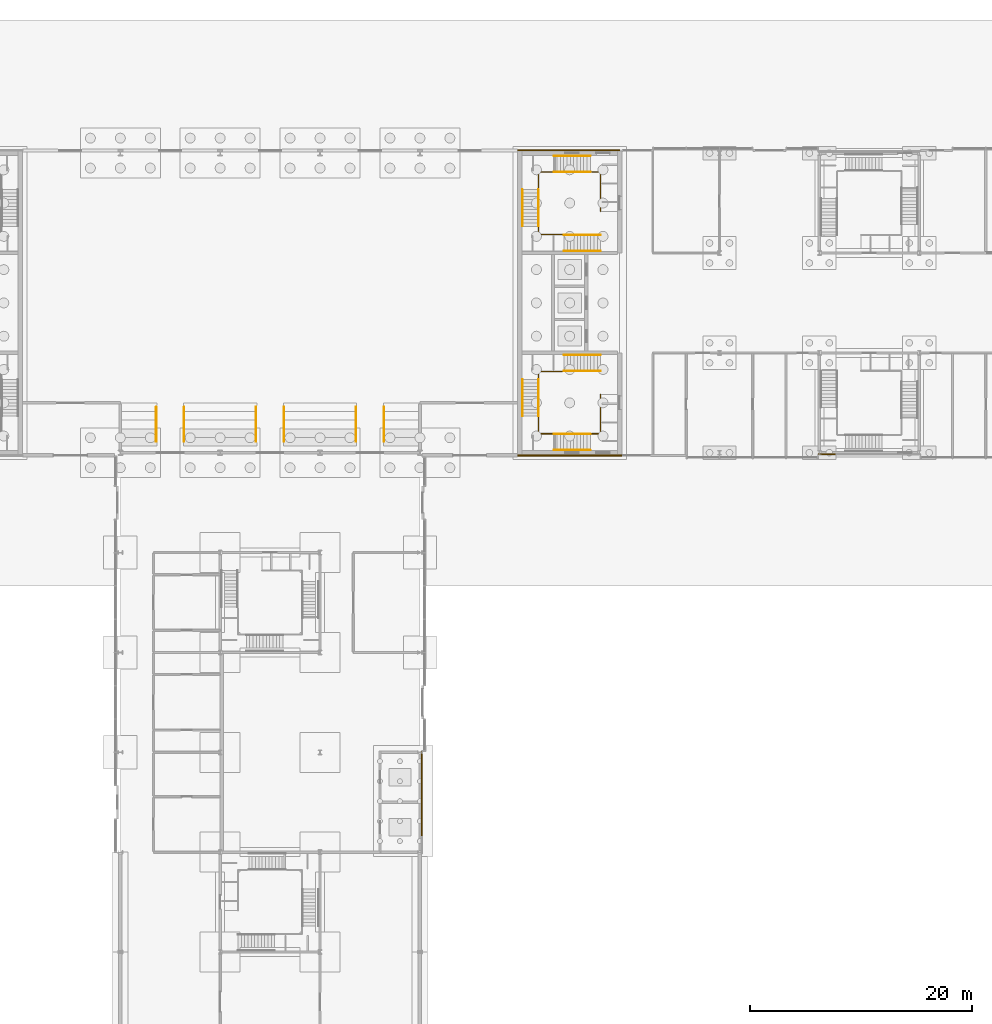
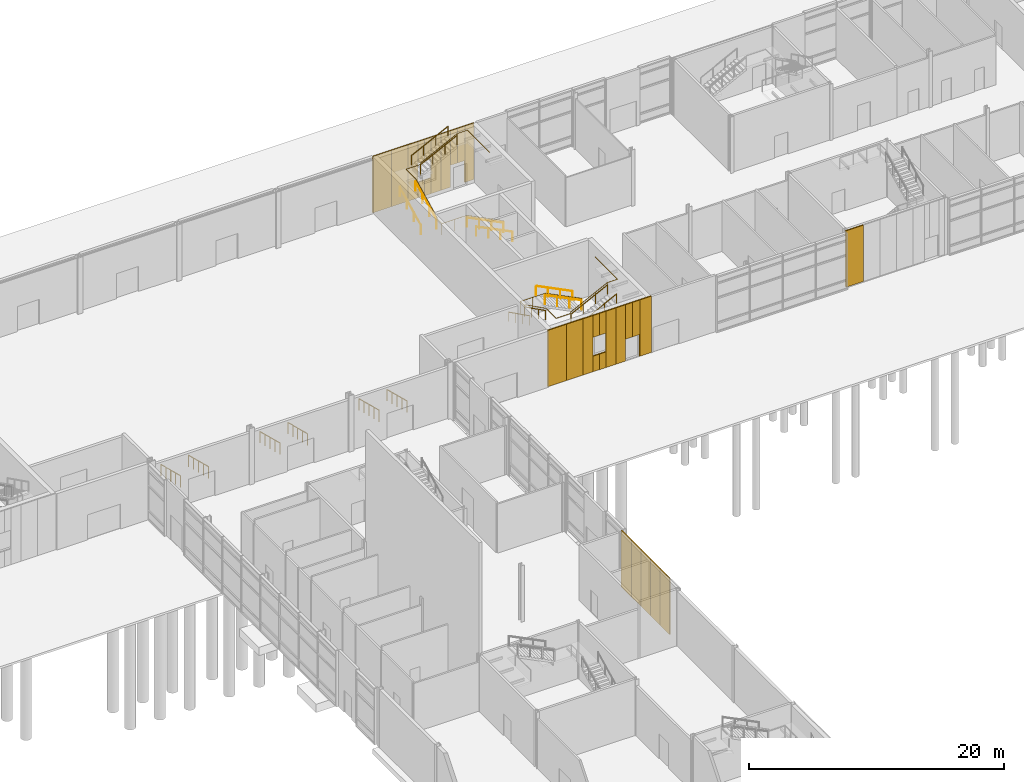
# One storey, part 42 of 45: 30 coverings, 20 railings.
"""IFC4 building model written with IfcOpenShell, lengths in metres."""

from ifc_helpers import new_model, si_unit, direction, frame, origin, origin_2d, place, context, subcontext, project, spatial, rectangle, circle, extrude, material, layer, layer_set, type_object, element, save


model = new_model("IFC4")

# Units and contexts
model_context = context("Model", 3, precision=1e-05, world=origin(), true_north=direction((0.0, 1.0)))
body_context = subcontext(model_context, "Body", "Model", "MODEL_VIEW")
ifc_project = project(units=[si_unit("LENGTHUNIT", "METRE"), si_unit("AREAUNIT", "SQUARE_METRE"), si_unit("VOLUMEUNIT", "CUBIC_METRE"), si_unit("PLANEANGLEUNIT", "RADIAN"), si_unit("MASSUNIT", "GRAM", prefix="KILO")], contexts=[model_context])

# Site, building, storey
site_placement = place(None, origin())
site = spatial("IfcSite", under=ifc_project, at=site_placement, CompositionType="ELEMENT")
building_placement = place(site_placement, origin())
building = spatial("IfcBuilding", under=site, at=building_placement, Name="Azimuth Sports and Learning Centre", CompositionType="ELEMENT")
storey_placement = place(building_placement, origin())
storey = spatial("IfcBuildingStorey", under=building, at=storey_placement, Name="L00", CompositionType="ELEMENT", Elevation=0.0)

# Coverings
ifc_material_1 = material(Name="Cladding panel")
ifc_layer = layer(ifc_material_1, 0.10009765625)
ifc_layer_set = layer_set([ifc_layer], Name="Cladding panel")
covering_type = type_object("IfcCoveringType", Name="Cladding panel 100", PredefinedType="CLADDING", material=ifc_layer_set)
for number, where, z_axis, x_axis, name in (
    (1, (99.14990234375, 56.25, 0.0), (0.0, 0.0, 1.0), (0.0, 1.0, 0.0), "Cladding panel E-STL L00 2"),
    (2, (99.14990234375, 57.75, 0.0), (0.0, 0.0, 1.0), (0.0, 1.0, 0.0), "Cladding panel E-STL L00 3"),
    (3, (99.14990234375, 59.25, 0.0), (0.0, 0.0, 1.0), (0.0, 1.0, 0.0), "Cladding panel E-STL L00 4"),
    (4, (99.14990234375, 60.75, 0.0), (0.0, 0.0, 1.0), (0.0, 1.0, 0.0), "Cladding panel E-STL L00 5"),
):
    element("IfcCovering", number, at=place(storey_placement, frame(where, z_axis=z_axis, x_axis=x_axis)), inside=storey, type_object=covering_type, Name=name, PredefinedType="CLADDING", context=body_context, shape_type="SweptSolid", body=[
        extrude(rectangle(XDim=1.5, YDim=0.10009765625, at=origin_2d()), origin(), (0.0, 0.0, 1.0), 5.39990234375),
    ])
covering_1_placement = place(storey_placement, frame((99.14990234375, 62.300048828125, 0.0), z_axis=(0.0, 0.0, 1.0), x_axis=(0.0, 1.0, 0.0)))
element("IfcCovering", 5, at=covering_1_placement, inside=storey, type_object=covering_type, Name="Cladding panel E-STL L00 6", PredefinedType="CLADDING", context=body_context, shape_type="SweptSolid", body=[
    extrude(rectangle(XDim=1.60009765625, YDim=0.10009765625, at=origin_2d()), origin(), (0.0, 0.0, 1.0), 5.39990234375),
])
covering_2_placement = place(storey_placement, frame((108.64990234375, 89.75, 0.0), z_axis=(0.0, 0.0, 1.0), x_axis=(1.0, 0.0, 0.0)))
element("IfcCovering", 6, at=covering_2_placement, inside=storey, type_object=covering_type, Name="Cladding panel S-CORE E L00 1", PredefinedType="CLADDING", context=body_context, shape_type="SweptSolid", body=[
    extrude(rectangle(XDim=1.699951171875, YDim=0.10009765625, at=origin_2d()), origin(), (0.0, 0.0, 1.0), 5.39990234375),
])
covering_3_placement = place(storey_placement, frame((110.25, 89.75, 0.0), z_axis=(0.0, 0.0, 1.0), x_axis=(1.0, 0.0, 0.0)))
element("IfcCovering", 7, at=covering_3_placement, inside=storey, type_object=covering_type, Name="Cladding panel S-CORE E L00 2", PredefinedType="CLADDING", context=body_context, shape_type="SweptSolid", body=[
    extrude(rectangle(XDim=1.5, YDim=0.10009765625, at=origin_2d()), origin(), (0.0, 0.0, 1.0), 5.39990234375),
])
covering_4_placement = place(storey_placement, frame((111.449951171875, 89.75, 0.0), z_axis=(0.0, 0.0, 1.0), x_axis=(1.0, 0.0, 0.0)))
element("IfcCovering", 8, at=covering_4_placement, inside=storey, type_object=covering_type, Name="Cladding panel S-CORE E L00 3", PredefinedType="CLADDING", context=body_context, shape_type="SweptSolid", body=[
    extrude(rectangle(XDim=0.89990234375, YDim=0.10009765625, at=origin_2d()), origin(), (0.0, 0.0, 1.0), 5.39990234375),
])
covering_5_placement = place(storey_placement, frame((112.199951171875, 89.75, 0.0), z_axis=(0.0, 0.0, 1.0), x_axis=(1.0, 0.0, 0.0)))
element("IfcCovering", 9, at=covering_5_placement, inside=storey, type_object=covering_type, Name="Cladding panel S-CORE E L00 4", PredefinedType="CLADDING", context=body_context, shape_type="SweptSolid", body=[
    extrude(rectangle(XDim=0.60009765625, YDim=0.10009765625, at=origin_2d()), origin(), (0.0, 0.0, 1.0), 1.5),
])
covering_6_placement = place(storey_placement, frame((112.199951171875, 89.75, 3.300048828125), z_axis=(0.0, 0.0, 1.0), x_axis=(1.0, 0.0, 0.0)))
element("IfcCovering", 10, at=covering_6_placement, inside=storey, type_object=covering_type, Name="Cladding panel S-CORE E L00 5", PredefinedType="CLADDING", context=body_context, shape_type="SweptSolid", body=[
    extrude(rectangle(XDim=0.60009765625, YDim=0.10009765625, at=origin_2d()), origin(), (0.0, 0.0, 1.0), 2.10009765625),
])
covering_7_placement = place(storey_placement, frame((113.550048828125, 89.75, 0.0), z_axis=(0.0, 0.0, 1.0), x_axis=(1.0, 0.0, 0.0)))
element("IfcCovering", 11, at=covering_7_placement, inside=storey, type_object=covering_type, Name="Cladding panel S-CORE E L00 6", PredefinedType="CLADDING", context=body_context, shape_type="SweptSolid", body=[
    extrude(rectangle(XDim=0.89990234375, YDim=0.10009765625, at=origin_2d()), origin(), (0.0, 0.0, 1.0), 5.39990234375),
])
covering_8_placement = place(storey_placement, frame((112.800048828125, 89.75, 0.0), z_axis=(0.0, 0.0, 1.0), x_axis=(1.0, 0.0, 0.0)))
element("IfcCovering", 12, at=covering_8_placement, inside=storey, type_object=covering_type, Name="Cladding panel S-CORE E L00 7", PredefinedType="CLADDING", context=body_context, shape_type="SweptSolid", body=[
    extrude(rectangle(XDim=0.60009765625, YDim=0.10009765625, at=origin_2d()), origin(), (0.0, 0.0, 1.0), 1.5),
])
covering_9_placement = place(storey_placement, frame((112.800048828125, 89.75, 3.300048828125), z_axis=(0.0, 0.0, 1.0), x_axis=(1.0, 0.0, 0.0)))
element("IfcCovering", 13, at=covering_9_placement, inside=storey, type_object=covering_type, Name="Cladding panel S-CORE E L00 8", PredefinedType="CLADDING", context=body_context, shape_type="SweptSolid", body=[
    extrude(rectangle(XDim=0.60009765625, YDim=0.10009765625, at=origin_2d()), origin(), (0.0, 0.0, 1.0), 2.10009765625),
])
covering_10_placement = place(storey_placement, frame((115.175048828125, 89.75, 2.10009765625), z_axis=(0.0, 0.0, 1.0), x_axis=(1.0, 0.0, 0.0)))
element("IfcCovering", 14, at=covering_10_placement, inside=storey, type_object=covering_type, Name="Cladding panel S-CORE E L00 9", PredefinedType="CLADDING", context=body_context, shape_type="SweptSolid", body=[
    extrude(rectangle(XDim=0.64990234375, YDim=0.10009765625, at=origin_2d()), origin(), (0.0, 0.0, 1.0), 3.300048828125),
])
covering_11_placement = place(storey_placement, frame((114.425048828125, 89.75, 0.0), z_axis=(0.0, 0.0, 1.0), x_axis=(1.0, 0.0, 0.0)))
element("IfcCovering", 15, at=covering_11_placement, inside=storey, type_object=covering_type, Name="Cladding panel S-CORE E L00 10", PredefinedType="CLADDING", context=body_context, shape_type="SweptSolid", body=[
    extrude(rectangle(XDim=0.85009765625, YDim=0.10009765625, at=origin_2d()), origin(), (0.0, 0.0, 1.0), 5.39990234375),
])
covering_12_placement = place(storey_placement, frame((115.824951171875, 89.75, 2.10009765625), z_axis=(0.0, 0.0, 1.0), x_axis=(1.0, 0.0, 0.0)))
element("IfcCovering", 16, at=covering_12_placement, inside=storey, type_object=covering_type, Name="Cladding panel S-CORE E L00 11", PredefinedType="CLADDING", context=body_context, shape_type="SweptSolid", body=[
    extrude(rectangle(XDim=0.64990234375, YDim=0.10009765625, at=origin_2d()), origin(), (0.0, 0.0, 1.0), 3.300048828125),
])
covering_13_placement = place(storey_placement, frame((116.675048828125, 89.75, 0.0), z_axis=(0.0, 0.0, 1.0), x_axis=(1.0, 0.0, 0.0)))
element("IfcCovering", 17, at=covering_13_placement, inside=storey, type_object=covering_type, Name="Cladding panel S-CORE E L00 12", PredefinedType="CLADDING", context=body_context, shape_type="SweptSolid", body=[
    extrude(rectangle(XDim=1.050048828125, YDim=0.10009765625, at=origin_2d()), origin(), (0.0, 0.0, 1.0), 5.39990234375),
])
covering_14_placement = place(storey_placement, frame((135.699951171875, 89.85009765625, 0.0), z_axis=(0.0, 0.0, 1.0), x_axis=(1.0, 0.0, 0.0)))
element("IfcCovering", 18, at=covering_14_placement, inside=storey, type_object=covering_type, Name="Cladding panel S-EM1 L00 1", PredefinedType="CLADDING", context=body_context, shape_type="SweptSolid", body=[
    extrude(rectangle(XDim=1.60009765625, YDim=0.10009765625, at=origin_2d()), origin(), (0.0, 0.0, 1.0), 5.39990234375),
])
covering_15_placement = place(storey_placement, frame((115.824951171875, 117.25, 2.10009765625), z_axis=(0.0, 0.0, 1.0), x_axis=(-1.0, 0.0, 0.0)))
element("IfcCovering", 19, at=covering_15_placement, inside=storey, type_object=covering_type, Name="Cladding panel N-CORE E L00 1", PredefinedType="CLADDING", context=body_context, shape_type="SweptSolid", body=[
    extrude(rectangle(XDim=0.64990234375, YDim=0.10009765625, at=origin_2d()), origin(), (0.0, 0.0, 1.0), 3.300048828125),
])
covering_16_placement = place(storey_placement, frame((116.574951171875, 117.25, 0.0), z_axis=(0.0, 0.0, 1.0), x_axis=(-1.0, 0.0, 0.0)))
element("IfcCovering", 20, at=covering_16_placement, inside=storey, type_object=covering_type, Name="Cladding panel N-CORE E L00 2", PredefinedType="CLADDING", context=body_context, shape_type="SweptSolid", body=[
    extrude(rectangle(XDim=0.85009765625, YDim=0.10009765625, at=origin_2d()), origin(), (0.0, 0.0, 1.0), 5.39990234375),
])
covering_17_placement = place(storey_placement, frame((115.175048828125, 117.25, 2.10009765625), z_axis=(0.0, 0.0, 1.0), x_axis=(-1.0, 0.0, 0.0)))
element("IfcCovering", 21, at=covering_17_placement, inside=storey, type_object=covering_type, Name="Cladding panel N-CORE E L00 3", PredefinedType="CLADDING", context=body_context, shape_type="SweptSolid", body=[
    extrude(rectangle(XDim=0.64990234375, YDim=0.10009765625, at=origin_2d()), origin(), (0.0, 0.0, 1.0), 3.300048828125),
])
covering_18_placement = place(storey_placement, frame((114.425048828125, 117.25, 0.0), z_axis=(0.0, 0.0, 1.0), x_axis=(-1.0, 0.0, 0.0)))
element("IfcCovering", 22, at=covering_18_placement, inside=storey, type_object=covering_type, Name="Cladding panel N-CORE E L00 4", PredefinedType="CLADDING", context=body_context, shape_type="SweptSolid", body=[
    extrude(rectangle(XDim=0.85009765625, YDim=0.10009765625, at=origin_2d()), origin(), (0.0, 0.0, 1.0), 5.39990234375),
])
covering_19_placement = place(storey_placement, frame((113.550048828125, 117.25, 0.0), z_axis=(0.0, 0.0, 1.0), x_axis=(-1.0, 0.0, 0.0)))
element("IfcCovering", 23, at=covering_19_placement, inside=storey, type_object=covering_type, Name="Cladding panel N-CORE E L00 5", PredefinedType="CLADDING", context=body_context, shape_type="SweptSolid", body=[
    extrude(rectangle(XDim=0.89990234375, YDim=0.10009765625, at=origin_2d()), origin(), (0.0, 0.0, 1.0), 5.39990234375),
])
covering_20_placement = place(storey_placement, frame((112.800048828125, 117.25, 0.0), z_axis=(0.0, 0.0, 1.0), x_axis=(-1.0, 0.0, 0.0)))
element("IfcCovering", 24, at=covering_20_placement, inside=storey, type_object=covering_type, Name="Cladding panel N-CORE E L00 6", PredefinedType="CLADDING", context=body_context, shape_type="SweptSolid", body=[
    extrude(rectangle(XDim=0.60009765625, YDim=0.10009765625, at=origin_2d()), origin(), (0.0, 0.0, 1.0), 1.5),
])
covering_21_placement = place(storey_placement, frame((112.800048828125, 117.25, 3.300048828125), z_axis=(0.0, 0.0, 1.0), x_axis=(-1.0, 0.0, 0.0)))
element("IfcCovering", 25, at=covering_21_placement, inside=storey, type_object=covering_type, Name="Cladding panel N-CORE E L00 7", PredefinedType="CLADDING", context=body_context, shape_type="SweptSolid", body=[
    extrude(rectangle(XDim=0.60009765625, YDim=0.10009765625, at=origin_2d()), origin(), (0.0, 0.0, 1.0), 2.10009765625),
])
covering_22_placement = place(storey_placement, frame((111.449951171875, 117.25, 0.0), z_axis=(0.0, 0.0, 1.0), x_axis=(-1.0, 0.0, 0.0)))
element("IfcCovering", 26, at=covering_22_placement, inside=storey, type_object=covering_type, Name="Cladding panel N-CORE E L00 8", PredefinedType="CLADDING", context=body_context, shape_type="SweptSolid", body=[
    extrude(rectangle(XDim=0.89990234375, YDim=0.10009765625, at=origin_2d()), origin(), (0.0, 0.0, 1.0), 5.39990234375),
])
covering_23_placement = place(storey_placement, frame((112.199951171875, 117.25, 0.0), z_axis=(0.0, 0.0, 1.0), x_axis=(-1.0, 0.0, 0.0)))
element("IfcCovering", 27, at=covering_23_placement, inside=storey, type_object=covering_type, Name="Cladding panel N-CORE E L00 9", PredefinedType="CLADDING", context=body_context, shape_type="SweptSolid", body=[
    extrude(rectangle(XDim=0.60009765625, YDim=0.10009765625, at=origin_2d()), origin(), (0.0, 0.0, 1.0), 1.5),
])
covering_24_placement = place(storey_placement, frame((112.199951171875, 117.25, 3.300048828125), z_axis=(0.0, 0.0, 1.0), x_axis=(-1.0, 0.0, 0.0)))
element("IfcCovering", 28, at=covering_24_placement, inside=storey, type_object=covering_type, Name="Cladding panel N-CORE E L00 10", PredefinedType="CLADDING", context=body_context, shape_type="SweptSolid", body=[
    extrude(rectangle(XDim=0.60009765625, YDim=0.10009765625, at=origin_2d()), origin(), (0.0, 0.0, 1.0), 2.10009765625),
])
covering_25_placement = place(storey_placement, frame((110.25, 117.25, 0.0), z_axis=(0.0, 0.0, 1.0), x_axis=(-1.0, 0.0, 0.0)))
element("IfcCovering", 29, at=covering_25_placement, inside=storey, type_object=covering_type, Name="Cladding panel N-CORE E L00 11", PredefinedType="CLADDING", context=body_context, shape_type="SweptSolid", body=[
    extrude(rectangle(XDim=1.5, YDim=0.10009765625, at=origin_2d()), origin(), (0.0, 0.0, 1.0), 5.39990234375),
])
covering_26_placement = place(storey_placement, frame((108.64990234375, 117.25, 0.0), z_axis=(0.0, 0.0, 1.0), x_axis=(-1.0, 0.0, 0.0)))
element("IfcCovering", 30, at=covering_26_placement, inside=storey, type_object=covering_type, Name="Cladding panel N-CORE E L00 12", PredefinedType="CLADDING", context=body_context, shape_type="SweptSolid", body=[
    extrude(rectangle(XDim=1.699951171875, YDim=0.10009765625, at=origin_2d()), origin(), (0.0, 0.0, 1.0), 5.39990234375),
])

# Railings
ifc_material_2 = material(Name="Steel balustrade", Category="steel")
railing_type_1 = type_object("IfcRailingType", Name="Guard 1100", PredefinedType="GUARDRAIL", material=ifc_material_2)
for number, where, name in (
    (31, (75.239990234375, 94.110107421875, 0.199951171875), "Bank aisle guard A1"),
    (32, (77.760009765625, 94.110107421875, 0.199951171875), "Bank aisle guard A2"),
    (33, (84.239990234375, 94.110107421875, 0.199951171875), "Bank aisle guard A3"),
    (34, (86.760009765625, 94.110107421875, 0.199951171875), "Bank aisle guard A4"),
    (35, (93.239990234375, 94.110107421875, 0.199951171875), "Bank aisle guard A5"),
    (36, (95.760009765625, 94.110107421875, 0.199951171875), "Bank aisle guard A6"),
):
    element("IfcRailing", number, at=place(storey_placement, frame(where)), inside=storey, type_object=railing_type_1, Name=name, PredefinedType="GUARDRAIL", context=body_context, shape_type="SweptSolid", body=[
        extrude(circle(Radius=0.02392578125, at=origin_2d()), frame((0.0, 0.0, 1.076171875), z_axis=(0.0, -0.96868069712, 0.248309699825), x_axis=(1.0, 0.0, 0.0)), (0.0, 0.0, 1.0), 0.80517578125),
        extrude(circle(Radius=0.02392578125, at=origin_2d()), frame((0.0, -0.780029296875, 1.27587890625), z_axis=(0.0, -0.968607734554, 0.248594160355), x_axis=(1.0, 0.0, 0.0)), (0.0, 0.0, 1.0), 0.805419921875),
        extrude(circle(Radius=0.02392578125, at=origin_2d()), frame((0.0, -1.56005859375, 1.47607421875), z_axis=(0.0, -0.96868069712, 0.248309699825), x_axis=(1.0, 0.0, 0.0)), (0.0, 0.0, 1.0), 0.80517578125),
        extrude(circle(Radius=0.02392578125, at=origin_2d()), frame((0.0, -2.340087890625, 1.67626953125), z_axis=(0.0, -0.96868069712, 0.248309699825), x_axis=(1.0, 0.0, 0.0)), (0.0, 0.0, 1.0), 0.80517578125),
        extrude(circle(Radius=0.02099609375, at=origin_2d()), origin(), (0.0, 0.0, 1.0), 1.052001953125),
        extrude(circle(Radius=0.02099609375, at=origin_2d()), frame((0.0, -0.780029296875, 0.199951171875)), (0.0, 0.0, 1.0), 1.052001953125),
        extrude(circle(Radius=0.02099609375, at=origin_2d()), frame((0.0, -1.56005859375, 0.400146484375)), (0.0, 0.0, 1.0), 1.052001953125),
        extrude(circle(Radius=0.02099609375, at=origin_2d()), frame((0.0, -2.340087890625, 0.60009765625)), (0.0, 0.0, 1.0), 1.052001953125),
        extrude(circle(Radius=0.02099609375, at=origin_2d()), frame((0.0, -3.1201171875, 0.800048828125)), (0.0, 0.0, 1.0), 1.052001953125),
    ])
ifc_material_3 = material(Name="Stainless steel", Category="steel")
railing_type_2 = type_object("IfcRailingType", Name="Stair guard 1100", PredefinedType="GUARDRAIL", material=ifc_material_3)
railing_1_placement = place(storey_placement, frame((115.2900390625, 97.340087890625, 0.14990234375)))
element("IfcRailing", 37, at=railing_1_placement, inside=storey, type_object=railing_type_2, Name="Guard E1 L00 well", PredefinedType="GUARDRAIL", context=body_context, shape_type="SweptSolid", body=[
    extrude(circle(Radius=0.02392578125, at=origin_2d()), frame((0.0, 0.0, 1.076171875), z_axis=(-0.894413956696, 0.0, 0.447240063129), x_axis=(0.0, -1.0, 0.0)), (0.0, 0.0, 1.0), 3.689697265625),
    extrude(circle(Radius=0.02392578125, at=origin_2d()), frame((-3.300048828125, 0.0, 2.72607421875), z_axis=(-1.0, 0.0, 0.0), x_axis=(0.0, -1.0, 0.0)), (0.0, 0.0, 1.0), 2.280029296875),
    extrude(circle(Radius=0.02392578125, at=origin_2d()), frame((-5.580078125, 0.0, 2.72607421875), z_axis=(0.0, -1.0, 0.0), x_axis=(1.0, 0.0, 0.0)), (0.0, 0.0, 1.0), 0.75),
    extrude(circle(Radius=0.02392578125, at=origin_2d()), frame((-5.580078125, -0.75, 2.72607421875), z_axis=(0.0, 0.0, 1.0), x_axis=(1.0, 0.0, 0.0)), (0.0, 0.0, 1.0), 0.14990234375),
    extrude(circle(Radius=0.02392578125, at=origin_2d()), frame((-5.580078125, -0.75, 2.8759765625), z_axis=(0.0, -0.894413956696, 0.447240063129), x_axis=(1.0, 0.0, 0.0)), (0.0, 0.0, 1.0), 3.689697265625),
    extrude(circle(Radius=0.02392578125, at=origin_2d()), frame((-5.580078125, -4.050048828125, 4.5263671875), z_axis=(0.0, -1.0, 0.0), x_axis=(1.0, 0.0, 0.0)), (0.0, 0.0, 1.0), 1.580078125),
    extrude(circle(Radius=0.02392578125, at=origin_2d()), frame((-5.580078125, -5.630126953125, 4.5263671875), z_axis=(1.0, 0.0, 0.0), x_axis=(0.0, 1.0, 0.0)), (0.0, 0.0, 1.0), 1.35009765625),
    extrude(circle(Radius=0.02392578125, at=origin_2d()), frame((-4.22998046875, -5.630126953125, 4.5263671875), z_axis=(0.0, 0.0, 1.0), x_axis=(1.0, 0.0, 0.0)), (0.0, 0.0, 1.0), 0.14990234375),
    extrude(circle(Radius=0.02392578125, at=origin_2d()), frame((-4.22998046875, -5.630126953125, 4.67626953125), z_axis=(0.894440424912, 0.0, 0.447187126696), x_axis=(0.0, 1.0, 0.0)), (0.0, 0.0, 1.0), 3.689453125),
    extrude(circle(Radius=0.02392578125, at=origin_2d()), frame((-0.929931640625, -5.630126953125, 6.326171875), z_axis=(1.0, 0.0, 0.0), x_axis=(0.0, 1.0, 0.0)), (0.0, 0.0, 1.0), 0.929931640625),
    extrude(circle(Radius=0.02392578125, at=origin_2d()), frame((0.0, -5.630126953125, 6.326171875), z_axis=(0.0, 1.0, 0.0), x_axis=(-1.0, 0.0, 0.0)), (0.0, 0.0, 1.0), 3.5400390625),
    extrude(circle(Radius=0.01611328125, at=origin_2d()), origin(), (0.0, 0.0, 1.0), 1.052001953125),
    extrude(circle(Radius=0.01611328125, at=origin_2d()), frame((-1.10009765625, 0.0, 0.550048828125)), (0.0, 0.0, 1.0), 1.052001953125),
    extrude(circle(Radius=0.01611328125, at=origin_2d()), frame((-2.199951171875, 0.0, 1.10009765625)), (0.0, 0.0, 1.0), 1.052001953125),
    extrude(circle(Radius=0.01611328125, at=origin_2d()), frame((-3.300048828125, 0.0, 1.650146484375)), (0.0, 0.0, 1.0), 1.052001953125),
    extrude(circle(Radius=0.01611328125, at=origin_2d()), frame((-4.43994140625, 0.0, 1.650146484375)), (0.0, 0.0, 1.0), 1.052001953125),
    extrude(circle(Radius=0.01611328125, at=origin_2d()), frame((-5.580078125, 0.0, 1.650146484375)), (0.0, 0.0, 1.0), 1.052001953125),
    extrude(circle(Radius=0.01611328125, at=origin_2d()), frame((-5.580078125, -0.75, 1.650146484375)), (0.0, 0.0, 1.0), 1.052001953125),
    extrude(circle(Radius=0.01611328125, at=origin_2d()), frame((-5.580078125, -0.75, 1.800048828125)), (0.0, 0.0, 1.0), 1.052001953125),
    extrude(circle(Radius=0.01611328125, at=origin_2d()), frame((-5.580078125, -1.85009765625, 2.35009765625)), (0.0, 0.0, 1.0), 1.052001953125),
    extrude(circle(Radius=0.01611328125, at=origin_2d()), frame((-5.580078125, -2.949951171875, 2.900146484375)), (0.0, 0.0, 1.0), 1.052001953125),
    extrude(circle(Radius=0.01611328125, at=origin_2d()), frame((-5.580078125, -4.050048828125, 3.4501953125)), (0.0, 0.0, 1.0), 1.052001953125),
    extrude(circle(Radius=0.01611328125, at=origin_2d()), frame((-5.580078125, -4.840087890625, 3.4501953125)), (0.0, 0.0, 1.0), 1.052001953125),
    extrude(circle(Radius=0.01611328125, at=origin_2d()), frame((-5.580078125, -5.630126953125, 3.4501953125)), (0.0, 0.0, 1.0), 1.052001953125),
    extrude(circle(Radius=0.01611328125, at=origin_2d()), frame((-4.22998046875, -5.630126953125, 3.4501953125)), (0.0, 0.0, 1.0), 1.052001953125),
    extrude(circle(Radius=0.01611328125, at=origin_2d()), frame((-4.22998046875, -5.630126953125, 3.60009765625)), (0.0, 0.0, 1.0), 1.052001953125),
    extrude(circle(Radius=0.01611328125, at=origin_2d()), frame((-3.1298828125, -5.630126953125, 4.150146484375)), (0.0, 0.0, 1.0), 1.052001953125),
    extrude(circle(Radius=0.01611328125, at=origin_2d()), frame((-2.030029296875, -5.630126953125, 4.699951171875)), (0.0, 0.0, 1.0), 1.052001953125),
    extrude(circle(Radius=0.01611328125, at=origin_2d()), frame((-0.929931640625, -5.630126953125, 5.25)), (0.0, 0.0, 1.0), 1.052001953125),
    extrude(circle(Radius=0.01611328125, at=origin_2d()), frame((0.0, -5.630126953125, 5.25)), (0.0, 0.0, 1.0), 1.052001953125),
    extrude(circle(Radius=0.01611328125, at=origin_2d()), frame((0.0, -4.4501953125, 5.25)), (0.0, 0.0, 1.0), 1.052001953125),
    extrude(circle(Radius=0.01611328125, at=origin_2d()), frame((0.0, -3.27001953125, 5.25)), (0.0, 0.0, 1.0), 1.052001953125),
    extrude(circle(Radius=0.01611328125, at=origin_2d()), frame((0.0, -2.090087890625, 5.25)), (0.0, 0.0, 1.0), 1.052001953125),
])
railing_2_placement = place(storey_placement, frame((115.2900390625, 109.659912109375, 0.14990234375)))
element("IfcRailing", 38, at=railing_2_placement, inside=storey, type_object=railing_type_2, Name="Guard E2 L00 well", PredefinedType="GUARDRAIL", context=body_context, shape_type="SweptSolid", body=[
    extrude(circle(Radius=0.02392578125, at=origin_2d()), frame((0.0, 0.0, 1.076171875), z_axis=(-0.894413956696, 0.0, 0.447240063129), x_axis=(0.0, -1.0, 0.0)), (0.0, 0.0, 1.0), 3.689697265625),
    extrude(circle(Radius=0.02392578125, at=origin_2d()), frame((-3.300048828125, 0.0, 2.72607421875), z_axis=(-1.0, 0.0, 0.0), x_axis=(0.0, -1.0, 0.0)), (0.0, 0.0, 1.0), 2.280029296875),
    extrude(circle(Radius=0.02392578125, at=origin_2d()), frame((-5.580078125, 0.0, 2.72607421875), z_axis=(0.0, 1.0, 0.0), x_axis=(-1.0, 0.0, 0.0)), (0.0, 0.0, 1.0), 0.75),
    extrude(circle(Radius=0.02392578125, at=origin_2d()), frame((-5.580078125, 0.75, 2.72607421875), z_axis=(0.0, 0.0, 1.0), x_axis=(1.0, 0.0, 0.0)), (0.0, 0.0, 1.0), 0.14990234375),
    extrude(circle(Radius=0.02392578125, at=origin_2d()), frame((-5.580078125, 0.75, 2.8759765625), z_axis=(0.0, 0.894413956696, 0.447240063129), x_axis=(-1.0, 0.0, 0.0)), (0.0, 0.0, 1.0), 3.689697265625),
    extrude(circle(Radius=0.02392578125, at=origin_2d()), frame((-5.580078125, 4.050048828125, 4.5263671875), z_axis=(0.0, 1.0, 0.0), x_axis=(-1.0, 0.0, 0.0)), (0.0, 0.0, 1.0), 1.580078125),
    extrude(circle(Radius=0.02392578125, at=origin_2d()), frame((-5.580078125, 5.630126953125, 4.5263671875), z_axis=(1.0, 0.0, 0.0), x_axis=(0.0, 1.0, 0.0)), (0.0, 0.0, 1.0), 1.35009765625),
    extrude(circle(Radius=0.02392578125, at=origin_2d()), frame((-4.22998046875, 5.630126953125, 4.5263671875), z_axis=(0.0, 0.0, 1.0), x_axis=(1.0, 0.0, 0.0)), (0.0, 0.0, 1.0), 0.14990234375),
    extrude(circle(Radius=0.02392578125, at=origin_2d()), frame((-4.22998046875, 5.630126953125, 4.67626953125), z_axis=(0.894440424912, 0.0, 0.447187126696), x_axis=(0.0, 1.0, 0.0)), (0.0, 0.0, 1.0), 3.689453125),
    extrude(circle(Radius=0.02392578125, at=origin_2d()), frame((-0.929931640625, 5.630126953125, 6.326171875), z_axis=(1.0, 0.0, 0.0), x_axis=(0.0, 1.0, 0.0)), (0.0, 0.0, 1.0), 0.929931640625),
    extrude(circle(Radius=0.02392578125, at=origin_2d()), frame((0.0, 5.630126953125, 6.326171875), z_axis=(0.0, -1.0, 0.0), x_axis=(1.0, 0.0, 0.0)), (0.0, 0.0, 1.0), 3.5400390625),
    extrude(circle(Radius=0.01611328125, at=origin_2d()), origin(), (0.0, 0.0, 1.0), 1.052001953125),
    extrude(circle(Radius=0.01611328125, at=origin_2d()), frame((-1.10009765625, 0.0, 0.550048828125)), (0.0, 0.0, 1.0), 1.052001953125),
    extrude(circle(Radius=0.01611328125, at=origin_2d()), frame((-2.199951171875, 0.0, 1.10009765625)), (0.0, 0.0, 1.0), 1.052001953125),
    extrude(circle(Radius=0.01611328125, at=origin_2d()), frame((-3.300048828125, 0.0, 1.650146484375)), (0.0, 0.0, 1.0), 1.052001953125),
    extrude(circle(Radius=0.01611328125, at=origin_2d()), frame((-4.43994140625, 0.0, 1.650146484375)), (0.0, 0.0, 1.0), 1.052001953125),
    extrude(circle(Radius=0.01611328125, at=origin_2d()), frame((-5.580078125, 0.0, 1.650146484375)), (0.0, 0.0, 1.0), 1.052001953125),
    extrude(circle(Radius=0.01611328125, at=origin_2d()), frame((-5.580078125, 0.75, 1.650146484375)), (0.0, 0.0, 1.0), 1.052001953125),
    extrude(circle(Radius=0.01611328125, at=origin_2d()), frame((-5.580078125, 0.75, 1.800048828125)), (0.0, 0.0, 1.0), 1.052001953125),
    extrude(circle(Radius=0.01611328125, at=origin_2d()), frame((-5.580078125, 1.85009765625, 2.35009765625)), (0.0, 0.0, 1.0), 1.052001953125),
    extrude(circle(Radius=0.01611328125, at=origin_2d()), frame((-5.580078125, 2.949951171875, 2.900146484375)), (0.0, 0.0, 1.0), 1.052001953125),
    extrude(circle(Radius=0.01611328125, at=origin_2d()), frame((-5.580078125, 4.050048828125, 3.4501953125)), (0.0, 0.0, 1.0), 1.052001953125),
    extrude(circle(Radius=0.01611328125, at=origin_2d()), frame((-5.580078125, 4.840087890625, 3.4501953125)), (0.0, 0.0, 1.0), 1.052001953125),
    extrude(circle(Radius=0.01611328125, at=origin_2d()), frame((-5.580078125, 5.630126953125, 3.4501953125)), (0.0, 0.0, 1.0), 1.052001953125),
    extrude(circle(Radius=0.01611328125, at=origin_2d()), frame((-4.22998046875, 5.630126953125, 3.4501953125)), (0.0, 0.0, 1.0), 1.052001953125),
    extrude(circle(Radius=0.01611328125, at=origin_2d()), frame((-4.22998046875, 5.630126953125, 3.60009765625)), (0.0, 0.0, 1.0), 1.052001953125),
    extrude(circle(Radius=0.01611328125, at=origin_2d()), frame((-3.1298828125, 5.630126953125, 4.150146484375)), (0.0, 0.0, 1.0), 1.052001953125),
    extrude(circle(Radius=0.01611328125, at=origin_2d()), frame((-2.030029296875, 5.630126953125, 4.699951171875)), (0.0, 0.0, 1.0), 1.052001953125),
    extrude(circle(Radius=0.01611328125, at=origin_2d()), frame((-0.929931640625, 5.630126953125, 5.25)), (0.0, 0.0, 1.0), 1.052001953125),
    extrude(circle(Radius=0.01611328125, at=origin_2d()), frame((0.0, 5.630126953125, 5.25)), (0.0, 0.0, 1.0), 1.052001953125),
    extrude(circle(Radius=0.01611328125, at=origin_2d()), frame((0.0, 4.4501953125, 5.25)), (0.0, 0.0, 1.0), 1.052001953125),
    extrude(circle(Radius=0.01611328125, at=origin_2d()), frame((0.0, 3.27001953125, 5.25)), (0.0, 0.0, 1.0), 1.052001953125),
    extrude(circle(Radius=0.01611328125, at=origin_2d()), frame((0.0, 2.090087890625, 5.25)), (0.0, 0.0, 1.0), 1.052001953125),
])
ifc_material_4 = material(Name="Stainless steel", Category="steel")
railing_type_3 = type_object("IfcRailingType", Name="Stair handrail 42", PredefinedType="HANDRAIL", material=ifc_material_4)
for number, where, name in (
    (39, (115.2900390625, 97.3701171875, 0.14990234375), "Handrail E1 L00 flight 1 inner"),
    (40, (115.2900390625, 98.81005859375, 0.14990234375), "Handrail E1 L00 flight 1 outer"),
):
    element("IfcRailing", number, at=place(storey_placement, frame(where)), inside=storey, type_object=railing_type_3, Name=name, PredefinedType="HANDRAIL", context=body_context, shape_type="SweptSolid", body=[
        extrude(circle(Radius=0.02099609375, at=origin_2d()), frame((0.0, 0.0, 0.87890625), z_axis=(-0.894413956696, 0.0, 0.447240063129), x_axis=(0.0, -1.0, 0.0)), (0.0, 0.0, 1.0), 3.689697265625),
        extrude(circle(Radius=0.01611328125, at=origin_2d()), origin(), (0.0, 0.0, 1.0), 0.85791015625),
        extrude(circle(Radius=0.01611328125, at=origin_2d()), frame((-1.10009765625, 0.0, 0.550048828125)), (0.0, 0.0, 1.0), 0.85791015625),
        extrude(circle(Radius=0.01611328125, at=origin_2d()), frame((-2.199951171875, 0.0, 1.10009765625)), (0.0, 0.0, 1.0), 0.85791015625),
        extrude(circle(Radius=0.01611328125, at=origin_2d()), frame((-3.300048828125, 0.0, 1.650146484375)), (0.0, 0.0, 1.0), 0.85791015625),
    ])
for number, where, name in (
    (41, (109.679931640625, 96.590087890625, 1.949951171875), "Handrail E1 L00 flight 2 inner"),
    (42, (108.239990234375, 96.590087890625, 1.949951171875), "Handrail E1 L00 flight 2 outer"),
):
    element("IfcRailing", number, at=place(storey_placement, frame(where)), inside=storey, type_object=railing_type_3, Name=name, PredefinedType="HANDRAIL", context=body_context, shape_type="SweptSolid", body=[
        extrude(circle(Radius=0.02099609375, at=origin_2d()), frame((0.0, 0.0, 0.87890625), z_axis=(0.0, -0.894413956696, 0.447240063129), x_axis=(1.0, 0.0, 0.0)), (0.0, 0.0, 1.0), 3.689697265625),
        extrude(circle(Radius=0.01611328125, at=origin_2d()), origin(), (0.0, 0.0, 1.0), 0.85791015625),
        extrude(circle(Radius=0.01611328125, at=origin_2d()), frame((0.0, -1.10009765625, 0.550048828125)), (0.0, 0.0, 1.0), 0.85791015625),
        extrude(circle(Radius=0.01611328125, at=origin_2d()), frame((0.0, -2.199951171875, 1.10009765625)), (0.0, 0.0, 1.0), 0.85791015625),
        extrude(circle(Radius=0.01611328125, at=origin_2d()), frame((0.0, -3.300048828125, 1.650146484375)), (0.0, 0.0, 1.0), 0.85791015625),
    ])
for number, where, name in (
    (43, (111.06005859375, 91.679931640625, 3.75), "Handrail E1 L00 flight 3 inner"),
    (44, (111.06005859375, 90.239990234375, 3.75), "Handrail E1 L00 flight 3 outer"),
):
    element("IfcRailing", number, at=place(storey_placement, frame(where)), inside=storey, type_object=railing_type_3, Name=name, PredefinedType="HANDRAIL", context=body_context, shape_type="SweptSolid", body=[
        extrude(circle(Radius=0.02099609375, at=origin_2d()), frame((0.0, 0.0, 0.87890625), z_axis=(0.894440424912, 0.0, 0.447187126696), x_axis=(0.0, 1.0, 0.0)), (0.0, 0.0, 1.0), 3.689453125),
        extrude(circle(Radius=0.01611328125, at=origin_2d()), origin(), (0.0, 0.0, 1.0), 0.85791015625),
        extrude(circle(Radius=0.01611328125, at=origin_2d()), frame((1.10009765625, 0.0, 0.550048828125)), (0.0, 0.0, 1.0), 0.85791015625),
        extrude(circle(Radius=0.01611328125, at=origin_2d()), frame((2.199951171875, 0.0, 1.099853515625)), (0.0, 0.0, 1.0), 0.85791015625),
        extrude(circle(Radius=0.01611328125, at=origin_2d()), frame((3.300048828125, 0.0, 1.64990234375)), (0.0, 0.0, 1.0), 0.85791015625),
    ])
for number, where, name in (
    (45, (115.2900390625, 109.6298828125, 0.14990234375), "Handrail E2 L00 flight 1 inner"),
    (46, (115.2900390625, 108.18994140625, 0.14990234375), "Handrail E2 L00 flight 1 outer"),
):
    element("IfcRailing", number, at=place(storey_placement, frame(where)), inside=storey, type_object=railing_type_3, Name=name, PredefinedType="HANDRAIL", context=body_context, shape_type="SweptSolid", body=[
        extrude(circle(Radius=0.02099609375, at=origin_2d()), frame((0.0, 0.0, 0.87890625), z_axis=(-0.894413956696, 0.0, 0.447240063129), x_axis=(0.0, -1.0, 0.0)), (0.0, 0.0, 1.0), 3.689697265625),
        extrude(circle(Radius=0.01611328125, at=origin_2d()), origin(), (0.0, 0.0, 1.0), 0.85791015625),
        extrude(circle(Radius=0.01611328125, at=origin_2d()), frame((-1.10009765625, 0.0, 0.550048828125)), (0.0, 0.0, 1.0), 0.85791015625),
        extrude(circle(Radius=0.01611328125, at=origin_2d()), frame((-2.199951171875, 0.0, 1.10009765625)), (0.0, 0.0, 1.0), 0.85791015625),
        extrude(circle(Radius=0.01611328125, at=origin_2d()), frame((-3.300048828125, 0.0, 1.650146484375)), (0.0, 0.0, 1.0), 0.85791015625),
    ])
for number, where, name in (
    (47, (109.679931640625, 110.409912109375, 1.949951171875), "Handrail E2 L00 flight 2 inner"),
    (48, (108.239990234375, 110.409912109375, 1.949951171875), "Handrail E2 L00 flight 2 outer"),
):
    element("IfcRailing", number, at=place(storey_placement, frame(where)), inside=storey, type_object=railing_type_3, Name=name, PredefinedType="HANDRAIL", context=body_context, shape_type="SweptSolid", body=[
        extrude(circle(Radius=0.02099609375, at=origin_2d()), frame((0.0, 0.0, 0.87890625), z_axis=(0.0, 0.894413956696, 0.447240063129), x_axis=(-1.0, 0.0, 0.0)), (0.0, 0.0, 1.0), 3.689697265625),
        extrude(circle(Radius=0.01611328125, at=origin_2d()), origin(), (0.0, 0.0, 1.0), 0.85791015625),
        extrude(circle(Radius=0.01611328125, at=origin_2d()), frame((0.0, 1.10009765625, 0.550048828125)), (0.0, 0.0, 1.0), 0.85791015625),
        extrude(circle(Radius=0.01611328125, at=origin_2d()), frame((0.0, 2.199951171875, 1.10009765625)), (0.0, 0.0, 1.0), 0.85791015625),
        extrude(circle(Radius=0.01611328125, at=origin_2d()), frame((0.0, 3.300048828125, 1.650146484375)), (0.0, 0.0, 1.0), 0.85791015625),
    ])
for number, where, name in (
    (49, (111.06005859375, 115.320068359375, 3.75), "Handrail E2 L00 flight 3 inner"),
    (50, (111.06005859375, 116.760009765625, 3.75), "Handrail E2 L00 flight 3 outer"),
):
    element("IfcRailing", number, at=place(storey_placement, frame(where)), inside=storey, type_object=railing_type_3, Name=name, PredefinedType="HANDRAIL", context=body_context, shape_type="SweptSolid", body=[
        extrude(circle(Radius=0.02099609375, at=origin_2d()), frame((0.0, 0.0, 0.87890625), z_axis=(0.894440424912, 0.0, 0.447187126696), x_axis=(0.0, 1.0, 0.0)), (0.0, 0.0, 1.0), 3.689453125),
        extrude(circle(Radius=0.01611328125, at=origin_2d()), origin(), (0.0, 0.0, 1.0), 0.85791015625),
        extrude(circle(Radius=0.01611328125, at=origin_2d()), frame((1.10009765625, 0.0, 0.550048828125)), (0.0, 0.0, 1.0), 0.85791015625),
        extrude(circle(Radius=0.01611328125, at=origin_2d()), frame((2.199951171875, 0.0, 1.099853515625)), (0.0, 0.0, 1.0), 0.85791015625),
        extrude(circle(Radius=0.01611328125, at=origin_2d()), frame((3.300048828125, 0.0, 1.64990234375)), (0.0, 0.0, 1.0), 0.85791015625),
    ])

save(model, "model.ifc")
